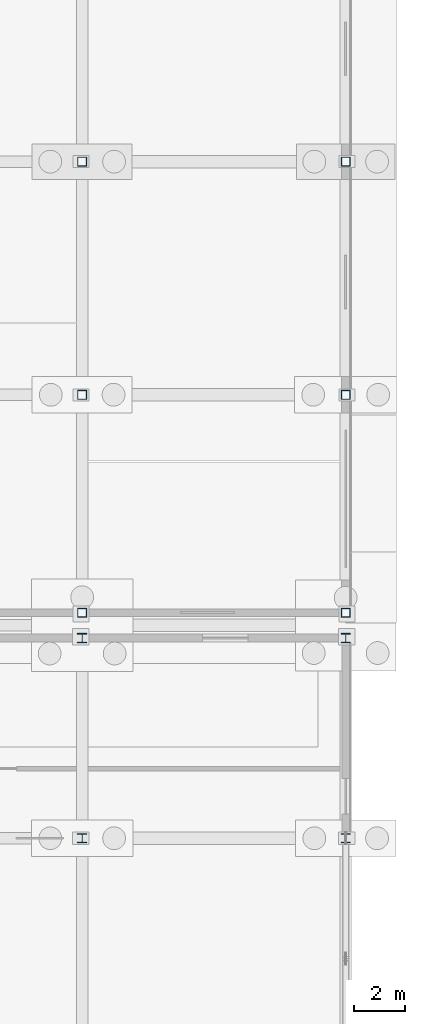
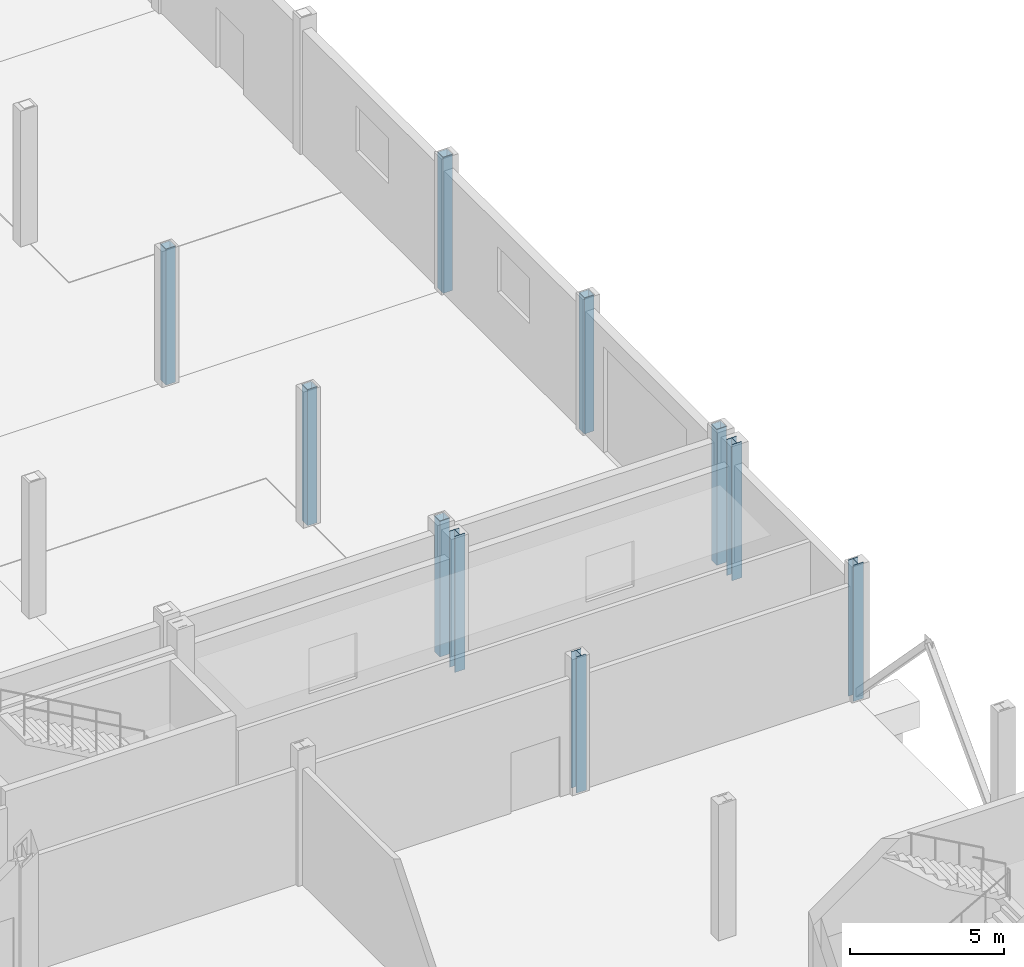
# One storey, part 33 of 83: 10 columns.
"""IFC4 building model written with IfcOpenShell, lengths in metres."""

import ifcopenshell
import ifcopenshell.guid

model = None  # the IFC model being written
_history = None  # IfcOwnerHistory: only IFC2X3 demands one
_inside = {}  # id of a spatial element -> (the spatial element, [elements in it])
_under = {}  # id of a project, library or spatial element -> (it, [spatial elements below it])
_declared = {}  # id of a project -> (the project, [libraries it declares])
_typed = {}  # id of a type object -> (the type object, [elements of that type])
_made_of = {}  # id of a material, layer set ... -> (it, [elements and type objects made of it])


def new_model(schema):
    """Start an empty IFC model of exactly this schema.

    Asked for "IFC4X3", IfcOpenShell would pick the latest addendum, in which some entities
    have other attributes; the version numbers below select the first issue.
    IFC2X3 requires an IfcOwnerHistory on every rooted entity: one is made here for all.
    """
    global model, _history
    if schema == "IFC4X3":
        model = ifcopenshell.file(schema_version=(4, 3, 0, 0))
    else:
        model = ifcopenshell.file(schema=schema)
    _inside.clear()
    _under.clear()
    _declared.clear()
    _typed.clear()
    _made_of.clear()
    _history = None
    if model.schema == "IFC2X3":
        org = make("IfcOrganization", Name="unknown")
        user = make(
            "IfcPersonAndOrganization",
            ThePerson=make("IfcPerson", FamilyName="unknown"),
            TheOrganization=org,
        )
        app = make(
            "IfcApplication",
            ApplicationDeveloper=org,
            Version="unknown",
            ApplicationFullName="unknown",
            ApplicationIdentifier="unknown",
        )
        _history = make(
            "IfcOwnerHistory",
            OwningUser=user,
            OwningApplication=app,
            ChangeAction="ADDED",
            CreationDate=0,
        )
    return model


def make(cls, **values):
    """One entity of the class cls with the attributes given. An attribute that is None is left unset."""
    return model.create_entity(
        cls, **{name: value for name, value in values.items() if value is not None}
    )


def rooted(cls, **values):
    """An entity with a GlobalId (a new one), such as an element, a storey or a relation."""
    return make(cls, GlobalId=ifcopenshell.guid.new(), OwnerHistory=_history, **values)


def si_unit(unit_type, name, prefix=None):
    """IfcSIUnit, for example si_unit("LENGTHUNIT", "METRE", prefix="MILLI")."""
    return make("IfcSIUnit", UnitType=unit_type, Prefix=prefix, Name=name)


def assignment(units):
    """IfcUnitAssignment: the units of a project."""
    return None if units is None else make("IfcUnitAssignment", Units=units)


def point(xyz):
    """IfcCartesianPoint."""
    return None if xyz is None else make("IfcCartesianPoint", Coordinates=xyz)


def direction(xyz):
    """IfcDirection."""
    return None if xyz is None else make("IfcDirection", DirectionRatios=xyz)


def frame(location, z_axis=None, x_axis=None):
    """IfcAxis2Placement3D, a coordinate frame: its origin and axes. An axis left out is left unset."""
    return make(
        "IfcAxis2Placement3D",
        Location=point(location),
        Axis=direction(z_axis),
        RefDirection=direction(x_axis),
    )


def frame_2d(location, x_axis=None):
    """IfcAxis2Placement2D, a coordinate frame in the plane: its origin and x axis."""
    return make(
        "IfcAxis2Placement2D", Location=point(location), RefDirection=direction(x_axis)
    )


def origin():
    """The frame at (0, 0, 0) with its axes left unset."""
    return frame((0.0, 0.0, 0.0))


def origin_2d():
    """The frame at (0, 0) in the plane with its x axis left unset."""
    return frame_2d((0.0, 0.0))


def place(relative_to, where):
    """IfcLocalPlacement: puts the frame where relative to a parent placement (None: the world)."""
    return make(
        "IfcLocalPlacement", PlacementRelTo=relative_to, RelativePlacement=where
    )


def context(
    kind, dimensions, precision=None, world=None, true_north=None, identifier=None
):
    """IfcGeometricRepresentationContext, for example the 3D "Model" context."""
    return make(
        "IfcGeometricRepresentationContext",
        ContextIdentifier=identifier,
        ContextType=kind,
        CoordinateSpaceDimension=dimensions,
        Precision=precision,
        WorldCoordinateSystem=world,
        TrueNorth=true_north,
    )


def subcontext(parent, identifier, kind, view, scale=None):
    """IfcGeometricRepresentationSubContext, for example "Body" below "Model"."""
    return make(
        "IfcGeometricRepresentationSubContext",
        ContextIdentifier=identifier,
        ContextType=kind,
        ParentContext=parent,
        TargetScale=scale,
        TargetView=view,
    )


def project(units=None, contexts=None):
    """IfcProject with its units and contexts."""
    return rooted(
        "IfcProject",
        Name="project",
        RepresentationContexts=contexts,
        UnitsInContext=assignment(units),
    )


def spatial(cls, under=None, at=None, **own):
    """A site, building, storey or space (cls), placed at a placement, below another one or the project."""
    s = rooted(cls, ObjectPlacement=at, **own)
    if under is not None:
        _under.setdefault(under.id(), (under, []))[1].append(s)
    return s


def profile(cls, at=None, kind="AREA", **sizes):
    """A parametric profile (cls). Its sizes go by their IFC names, for example OverallWidth=200.0."""
    return make(cls, ProfileType=kind, Position=at, **sizes)


def hollow_rectangle(**sizes):
    """IfcRectangleHollowProfileDef."""
    return profile("IfcRectangleHollowProfileDef", **sizes)


def i_section(**sizes):
    """IfcIShapeProfileDef."""
    return profile("IfcIShapeProfileDef", **sizes)


def extrude(swept, where, along, depth):
    """IfcExtrudedAreaSolid: the profile swept, set in the frame where, extruded along a direction by depth."""
    return make(
        "IfcExtrudedAreaSolid",
        SweptArea=swept,
        Position=where,
        ExtrudedDirection=direction(along),
        Depth=depth,
    )


def shape(context_of_items, identifier, shape_type, items):
    """IfcShapeRepresentation: the items that make up one representation, for example the "Body"."""
    return make(
        "IfcShapeRepresentation",
        ContextOfItems=context_of_items,
        RepresentationIdentifier=identifier,
        RepresentationType=shape_type,
        Items=items,
    )


def material(Name=None, Category=None):
    """IfcMaterial."""
    return make("IfcMaterial", Name=Name, Category=Category)


def material_profile(
    of_material, cross_section, Name=None, Category=None, Priority=None
):
    """IfcMaterialProfile: a cross section and its material."""
    return make(
        "IfcMaterialProfile",
        Name=Name,
        Material=of_material,
        Profile=cross_section,
        Priority=Priority,
        Category=Category,
    )


def profile_set(profiles, Name=None, composite=None):
    """IfcMaterialProfileSet."""
    return make(
        "IfcMaterialProfileSet",
        Name=Name,
        MaterialProfiles=profiles,
        CompositeProfile=composite,
    )


def made_of(thing, what):
    """Note that an element or type object is made of a material, layer set ...; save() writes the relation."""
    if what is not None:
        _made_of.setdefault(what.id(), (what, []))[1].append(thing)
    return thing


def type_object(cls, material=None, **own):
    """A type object (cls), such as IfcWallType, which elements share."""
    return made_of(rooted(cls, **own), material)


def element(
    cls,
    number,
    at=None,
    inside=None,
    cuts=None,
    type_object=None,
    material=None,
    context=None,
    identifier="Body",
    shape_type=None,
    held_by="IfcProductDefinitionShape",
    body=None,
    shapes=None,
    **own,
):
    """One element of the class cls, such as IfcWall. Its Tag is "e" and its number.

    at: its placement. inside: the storey or other place that contains it. cuts: it is an
    opening in that element (IfcRelVoidsElement). A single representation is given by context,
    identifier, shape_type and body (its items); several are given by shapes. held_by: the class
    of the entity that holds the representations. save() writes the other relations.
    """
    e = rooted(cls, Tag="e%d" % number, ObjectPlacement=at, **own)
    if body is not None:
        shapes = [shape(context, identifier, shape_type, body)]
    if shapes is not None:
        e.Representation = make(held_by, Representations=shapes)
    if inside is not None:
        _inside.setdefault(inside.id(), (inside, []))[1].append(e)
    if cuts is not None:
        rooted(
            "IfcRelVoidsElement", RelatingBuildingElement=cuts, RelatedOpeningElement=e
        )
    if type_object is not None:
        _typed.setdefault(type_object.id(), (type_object, []))[1].append(e)
    return made_of(e, material)


def aggregate(whole, parts):
    """IfcRelAggregates: a whole, such as a stair, and the parts it consists of."""
    return rooted("IfcRelAggregates", RelatingObject=whole, RelatedObjects=parts)


def save(model, path):
    """Write the relations noted so far, then the file.

    IfcRelAggregates (storeys below a building ...), IfcRelContainedInSpatialStructure (elements
    in a storey), IfcRelDefinesByType, IfcRelAssociatesMaterial and IfcRelDeclares: one each for
    every whole, place, type object, material and project.
    """
    for whole, parts in _under.values():
        aggregate(whole, parts)
    for where, things in _inside.values():
        rooted(
            "IfcRelContainedInSpatialStructure",
            RelatedElements=things,
            RelatingStructure=where,
        )
    for kind, things in _typed.values():
        rooted("IfcRelDefinesByType", RelatedObjects=things, RelatingType=kind)
    for what, things in _made_of.values():
        rooted("IfcRelAssociatesMaterial", RelatedObjects=things, RelatingMaterial=what)
    for by, libraries in _declared.values():
        rooted("IfcRelDeclares", RelatingContext=by, RelatedDefinitions=libraries)
    model.write(path)


model = new_model("IFC4")

# Units and contexts
model_context = context("Model", 3, precision=1e-05, world=origin(), true_north=direction((0.0, 1.0)))
body_context = subcontext(model_context, "Body", "Model", "MODEL_VIEW")
ifc_project = project(units=[si_unit("LENGTHUNIT", "METRE"), si_unit("AREAUNIT", "SQUARE_METRE"), si_unit("VOLUMEUNIT", "CUBIC_METRE"), si_unit("PLANEANGLEUNIT", "RADIAN"), si_unit("MASSUNIT", "GRAM", prefix="KILO")], contexts=[model_context])

# Site, building, storey
site_placement = place(None, origin())
site = spatial("IfcSite", under=ifc_project, at=site_placement, CompositionType="ELEMENT")
building_placement = place(site_placement, origin())
building = spatial("IfcBuilding", under=site, at=building_placement, Name="Caurita Quay Ferry Terminal", CompositionType="ELEMENT")
storey_placement = place(building_placement, origin())
storey = spatial("IfcBuildingStorey", under=building, at=storey_placement, Name="L00", CompositionType="ELEMENT", Elevation=0.0)

# Columns
ifc_material_1 = material(Name="Hollow structural steel ASTM A500 Gr. C", Category="steel")
ifc_material_profile_1 = material_profile(ifc_material_1, hollow_rectangle(XDim=0.35595703125, YDim=0.35595703125, WallThickness=0.01171875, at=origin_2d()), Name="HSS14X14X1/2")
ifc_profile_set_1 = profile_set([ifc_material_profile_1], Name="Hollow structural steel ASTM A500 Gr. C")
column_type_1 = type_object("IfcColumnType", Name="COL-HSS-01", PredefinedType="COLUMN", material=ifc_profile_set_1)
for number, where, z_axis, x_axis, name in (
    (1, (163.60009765625, 71.60009765625, 0.0), (0.0, 0.0, 1.0), (1.0, 0.0, 0.0), "L00 Column V4-18-L"),
    (2, (163.60009765625, 80.199951171875, 0.0), (0.0, 0.0, 1.0), (1.0, 0.0, 0.0), "L00 Column V4-18-M"),
    (3, (163.60009765625, 89.39990234375, 0.0), (0.0, 0.0, 1.0), (1.0, 0.0, 0.0), "L00 Column V4-18-N"),
    (4, (174.0, 71.60009765625, 0.0), (0.0, 0.0, 1.0), (1.0, 0.0, 0.0), "L00 Column V4-19-L"),
    (5, (174.0, 80.199951171875, 0.0), (0.0, 0.0, 1.0), (1.0, 0.0, 0.0), "L00 Column V4-19-M"),
    (6, (174.0, 89.39990234375, 0.0), (0.0, 0.0, 1.0), (1.0, 0.0, 0.0), "L00 Column V4-19-N"),
):
    element("IfcColumn", number, at=place(storey_placement, frame(where, z_axis=z_axis, x_axis=x_axis)), inside=storey, type_object=column_type_1, Name=name, PredefinedType="COLUMN", context=body_context, shape_type="SweptSolid", body=[
        extrude(hollow_rectangle(XDim=0.35595703125, YDim=0.35595703125, WallThickness=0.01171875, at=origin_2d()), origin(), (0.0, 0.0, 1.0), 5.39990234375),
    ])
ifc_material_2 = material(Name="Structural steel ASTM A992 Gr. 50", Category="steel")
ifc_material_profile_2 = material_profile(ifc_material_2, i_section(OverallWidth=0.370849609375, OverallDepth=0.36328125, WebThickness=0.01318359375, FlangeThickness=0.021728515625, FilletRadius=0.017822265625, at=origin_2d()), Name="W14X109")
ifc_profile_set_2 = profile_set([ifc_material_profile_2], Name="Structural steel ASTM A992 Gr. 50")
column_type_2 = type_object("IfcColumnType", Name="COL-STL-08", PredefinedType="COLUMN", material=ifc_profile_set_2)
for number, where, z_axis, x_axis, name in (
    (7, (163.60009765625, 62.699951171875, 0.0), (0.0, 0.0, 1.0), (1.0, 0.0, 0.0), "L00 Column V3-HH-18-J"),
    (8, (163.60009765625, 70.60009765625, 0.0), (0.0, 0.0, 1.0), (1.0, 0.0, 0.0), "L00 Column V3-HH-18-K"),
    (9, (174.0, 62.699951171875, 0.0), (0.0, 0.0, 1.0), (1.0, 0.0, 0.0), "L00 Column V3-HH-19-J"),
    (10, (174.0, 70.60009765625, 0.0), (0.0, 0.0, 1.0), (1.0, 0.0, 0.0), "L00 Column V3-HH-19-K"),
):
    element("IfcColumn", number, at=place(storey_placement, frame(where, z_axis=z_axis, x_axis=x_axis)), inside=storey, type_object=column_type_2, Name=name, PredefinedType="COLUMN", context=body_context, shape_type="SweptSolid", body=[
        extrude(i_section(OverallWidth=0.370849609375, OverallDepth=0.36328125, WebThickness=0.01318359375, FlangeThickness=0.021728515625, FilletRadius=0.017822265625, at=origin_2d()), origin(), (0.0, 0.0, 1.0), 5.39990234375),
    ])

save(model, "model.ifc")
